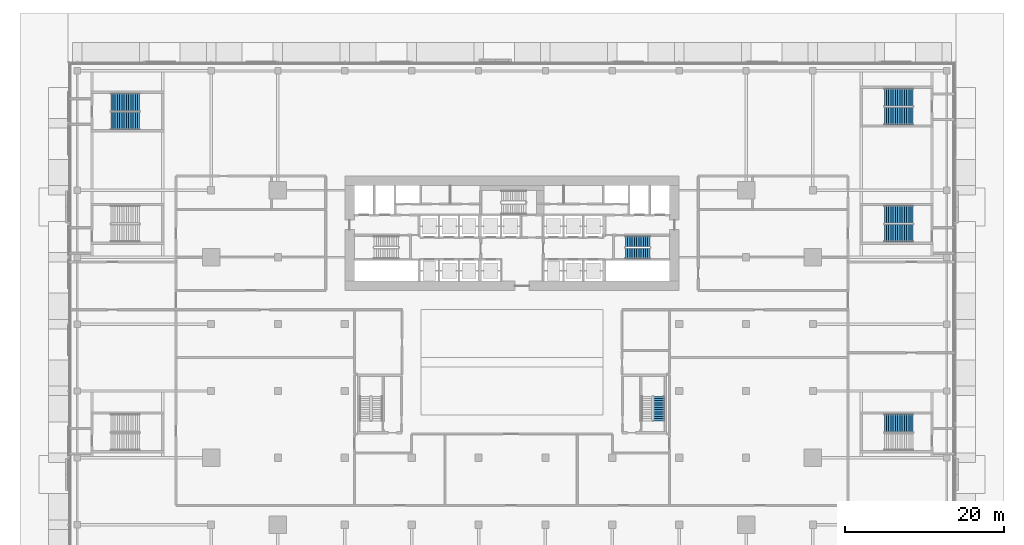
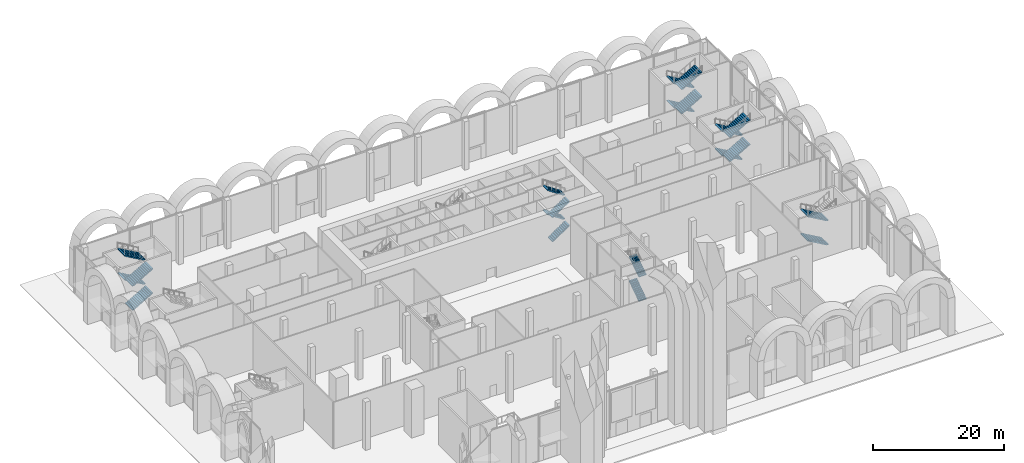
# One storey, part 32 of 43: 20 stair flights, 6 elements without a shape of their own.
"""IFC4 building model written with IfcOpenShell, lengths in metres."""

from ifc_helpers import new_model, si_unit, direction, frame, origin, place, context, subcontext, project, spatial, polyline, outline, extrude, material, type_object, element, aggregate, save


model = new_model("IFC4")

# Units and contexts
model_context = context("Model", 3, precision=1e-05, world=origin(), true_north=direction((0.0, 1.0)))
body_context = subcontext(model_context, "Body", "Model", "MODEL_VIEW")
ifc_project = project(units=[si_unit("LENGTHUNIT", "METRE"), si_unit("AREAUNIT", "SQUARE_METRE"), si_unit("VOLUMEUNIT", "CUBIC_METRE"), si_unit("PLANEANGLEUNIT", "RADIAN"), si_unit("MASSUNIT", "GRAM", prefix="KILO")], contexts=[model_context])

# Site, building, storey
site_placement = place(None, origin())
site = spatial("IfcSite", under=ifc_project, at=site_placement, CompositionType="ELEMENT")
building_placement = place(site_placement, origin())
building = spatial("IfcBuilding", under=site, at=building_placement, Name="Saffron Gate Tower", CompositionType="ELEMENT")
storey_placement = place(building_placement, origin())
storey = spatial("IfcBuildingStorey", under=building, at=storey_placement, Name="L00", CompositionType="ELEMENT", Elevation=0.0)

# Stair, stair flights
ifc_material = material(Name="Concrete C40", Category="concrete")
stair_type_1 = type_object("IfcStairType", Name="ST3 Stair 1350 wide, 48 risers of 188", PredefinedType="HALF_TURN_STAIR", material=ifc_material)
stair_1_placement = place(storey_placement, origin())
stair_1 = element("IfcStair", 1, at=stair_1_placement, inside=storey, type_object=stair_type_1, Name="L00 Exit stair B", PredefinedType="HALF_TURN_STAIR")
stair_flight_type_1 = type_object("IfcStairFlightType", Name="SF2 Stair flight 1350 wide, riser 188 going 280", PredefinedType="STRAIGHT", material=ifc_material)
stair_flight_1_placement = place(storey_placement, frame((101.85009765625, 65.875, 0.0), z_axis=(0.0, 0.0, 1.0), x_axis=(1.0, 0.0, 0.0)))
stair_flight_1 = element("IfcStairFlight", 2, at=stair_flight_1_placement, type_object=stair_flight_type_1, Name="ST-B flight 1", NumberOfRisers=12, NumberOfTreads=11, PredefinedType="STRAIGHT", RiserHeight=0.1875, TreadLength=0.28, context=body_context, shape_type="SweptSolid", body=[
    extrude(outline(polyline([(0.0, 0.0), (0.0, 0.1875), (0.280029296875, 0.1875), (0.280029296875, 0.375), (0.56005859375, 0.375), (0.56005859375, 0.5625), (0.840087890625, 0.5625), (0.840087890625, 0.75), (1.1201171875, 0.75), (1.1201171875, 0.9375), (1.39990234375, 0.9375), (1.39990234375, 1.125), (1.679931640625, 1.125), (1.679931640625, 1.3125), (1.9599609375, 1.3125), (1.9599609375, 1.5), (2.239990234375, 1.5), (2.239990234375, 1.6875), (2.52001953125, 1.6875), (2.52001953125, 1.875), (2.800048828125, 1.875), (2.800048828125, 2.0625), (3.080078125, 2.0625), (3.080078125, 2.25), (3.080078125, 1.882080078125), (0.26953125, 0.0), (0.0, 0.0)])), frame((0.0, 0.675048828125, 0.0), z_axis=(0.0, -1.0, 0.0), x_axis=(1.0, 0.0, 0.0)), (0.0, 0.0, 1.0), 1.35009765625),
])
stair_flight_2_placement = place(storey_placement, frame((104.929931640625, 67.375, 2.25), z_axis=(0.0, 0.0, 1.0), x_axis=(-1.0, 0.0, 0.0)))
stair_flight_2 = element("IfcStairFlight", 3, at=stair_flight_2_placement, type_object=stair_flight_type_1, Name="ST-B flight 2", NumberOfRisers=12, NumberOfTreads=11, PredefinedType="STRAIGHT", RiserHeight=0.1875, TreadLength=0.28, context=body_context, shape_type="SweptSolid", body=[
    extrude(outline(polyline([(0.0, 0.0), (0.0, 0.1875), (0.280029296875, 0.1875), (0.280029296875, 0.375), (0.56005859375, 0.375), (0.56005859375, 0.5625), (0.840087890625, 0.5625), (0.840087890625, 0.75), (1.1201171875, 0.75), (1.1201171875, 0.9375), (1.39990234375, 0.9375), (1.39990234375, 1.125), (1.679931640625, 1.125), (1.679931640625, 1.3125), (1.9599609375, 1.3125), (1.9599609375, 1.5), (2.239990234375, 1.5), (2.239990234375, 1.6875), (2.52001953125, 1.6875), (2.52001953125, 1.875), (2.800048828125, 1.875), (2.800048828125, 2.0625), (3.080078125, 2.0625), (3.080078125, 2.25), (3.080078125, 1.882080078125), (0.26953125, 0.0), (0.0, 0.0)])), frame((0.0, 0.675048828125, 0.0), z_axis=(0.0, -1.0, 0.0), x_axis=(1.0, 0.0, 0.0)), (0.0, 0.0, 1.0), 1.35009765625),
])
stair_flight_3_placement = place(storey_placement, frame((101.85009765625, 65.875, 4.5), z_axis=(0.0, 0.0, 1.0), x_axis=(1.0, 0.0, 0.0)))
stair_flight_3 = element("IfcStairFlight", 4, at=stair_flight_3_placement, type_object=stair_flight_type_1, Name="ST-B flight 3", NumberOfRisers=12, NumberOfTreads=11, PredefinedType="STRAIGHT", RiserHeight=0.1875, TreadLength=0.28, context=body_context, shape_type="SweptSolid", body=[
    extrude(outline(polyline([(0.0, 0.0), (0.0, 0.1875), (0.280029296875, 0.1875), (0.280029296875, 0.375), (0.56005859375, 0.375), (0.56005859375, 0.5625), (0.840087890625, 0.5625), (0.840087890625, 0.75), (1.1201171875, 0.75), (1.1201171875, 0.9375), (1.39990234375, 0.9375), (1.39990234375, 1.125), (1.679931640625, 1.125), (1.679931640625, 1.3125), (1.9599609375, 1.3125), (1.9599609375, 1.5), (2.239990234375, 1.5), (2.239990234375, 1.6875), (2.52001953125, 1.6875), (2.52001953125, 1.875), (2.800048828125, 1.875), (2.800048828125, 2.0625), (3.080078125, 2.0625), (3.080078125, 2.25), (3.080078125, 1.882080078125), (0.26953125, 0.0), (0.0, 0.0)])), frame((0.0, 0.675048828125, 0.0), z_axis=(0.0, -1.0, 0.0), x_axis=(1.0, 0.0, 0.0)), (0.0, 0.0, 1.0), 1.35009765625),
])
stair_flight_4_placement = place(storey_placement, frame((104.929931640625, 67.375, 6.75), z_axis=(0.0, 0.0, 1.0), x_axis=(-1.0, 0.0, 0.0)))
stair_flight_4 = element("IfcStairFlight", 5, at=stair_flight_4_placement, type_object=stair_flight_type_1, Name="ST-B flight 4", NumberOfRisers=12, NumberOfTreads=11, PredefinedType="STRAIGHT", RiserHeight=0.1875, TreadLength=0.28, context=body_context, shape_type="SweptSolid", body=[
    extrude(outline(polyline([(0.0, 0.0), (0.0, 0.1875), (0.280029296875, 0.1875), (0.280029296875, 0.375), (0.56005859375, 0.375), (0.56005859375, 0.5625), (0.840087890625, 0.5625), (0.840087890625, 0.75), (1.1201171875, 0.75), (1.1201171875, 0.9375), (1.39990234375, 0.9375), (1.39990234375, 1.125), (1.679931640625, 1.125), (1.679931640625, 1.3125), (1.9599609375, 1.3125), (1.9599609375, 1.5), (2.239990234375, 1.5), (2.239990234375, 1.6875), (2.52001953125, 1.6875), (2.52001953125, 1.875), (2.800048828125, 1.875), (2.800048828125, 2.0625), (3.080078125, 2.0625), (3.080078125, 2.25), (3.080078125, 1.882080078125), (0.26953125, 0.0), (0.0, 0.0)])), frame((0.0, 0.675048828125, 0.0), z_axis=(0.0, -1.0, 0.0), x_axis=(1.0, 0.0, 0.0)), (0.0, 0.0, 1.0), 1.35009765625),
])
aggregate(stair_1, [stair_flight_1, stair_flight_2, stair_flight_3, stair_flight_4])

stair_2_placement = place(storey_placement, origin())
stair_2 = element("IfcStair", 6, at=stair_2_placement, inside=storey, type_object=stair_type_1, Name="L00 Exit stair E", PredefinedType="HALF_TURN_STAIR")
stair_flight_5_placement = place(storey_placement, frame((106.074951171875, 44.85009765625, 0.0), z_axis=(0.0, 0.0, 1.0), x_axis=(0.0, 1.0, 0.0)))
stair_flight_5 = element("IfcStairFlight", 7, at=stair_flight_5_placement, type_object=stair_flight_type_1, Name="ST-E flight 1", NumberOfRisers=12, NumberOfTreads=11, PredefinedType="STRAIGHT", RiserHeight=0.1875, TreadLength=0.28, context=body_context, shape_type="SweptSolid", body=[
    extrude(outline(polyline([(0.0, 0.0), (0.0, 0.1875), (0.280029296875, 0.1875), (0.280029296875, 0.375), (0.56005859375, 0.375), (0.56005859375, 0.5625), (0.840087890625, 0.5625), (0.840087890625, 0.75), (1.1201171875, 0.75), (1.1201171875, 0.9375), (1.39990234375, 0.9375), (1.39990234375, 1.125), (1.679931640625, 1.125), (1.679931640625, 1.3125), (1.9599609375, 1.3125), (1.9599609375, 1.5), (2.239990234375, 1.5), (2.239990234375, 1.6875), (2.52001953125, 1.6875), (2.52001953125, 1.875), (2.800048828125, 1.875), (2.800048828125, 2.0625), (3.080078125, 2.0625), (3.080078125, 2.25), (3.080078125, 1.882080078125), (0.26953125, 0.0), (0.0, 0.0)])), frame((0.0, 0.675048828125, 0.0), z_axis=(0.0, -1.0, 0.0), x_axis=(1.0, 0.0, 0.0)), (0.0, 0.0, 1.0), 1.35009765625),
])
stair_flight_6_placement = place(storey_placement, frame((106.074951171875, 44.85009765625, 4.5), z_axis=(0.0, 0.0, 1.0), x_axis=(0.0, 1.0, 0.0)))
stair_flight_6 = element("IfcStairFlight", 8, at=stair_flight_6_placement, type_object=stair_flight_type_1, Name="ST-E flight 3", NumberOfRisers=12, NumberOfTreads=11, PredefinedType="STRAIGHT", RiserHeight=0.1875, TreadLength=0.28, context=body_context, shape_type="SweptSolid", body=[
    extrude(outline(polyline([(0.0, 0.0), (0.0, 0.1875), (0.280029296875, 0.1875), (0.280029296875, 0.375), (0.56005859375, 0.375), (0.56005859375, 0.5625), (0.840087890625, 0.5625), (0.840087890625, 0.75), (1.1201171875, 0.75), (1.1201171875, 0.9375), (1.39990234375, 0.9375), (1.39990234375, 1.125), (1.679931640625, 1.125), (1.679931640625, 1.3125), (1.9599609375, 1.3125), (1.9599609375, 1.5), (2.239990234375, 1.5), (2.239990234375, 1.6875), (2.52001953125, 1.6875), (2.52001953125, 1.875), (2.800048828125, 1.875), (2.800048828125, 2.0625), (3.080078125, 2.0625), (3.080078125, 2.25), (3.080078125, 1.882080078125), (0.26953125, 0.0), (0.0, 0.0)])), frame((0.0, 0.675048828125, 0.0), z_axis=(0.0, -1.0, 0.0), x_axis=(1.0, 0.0, 0.0)), (0.0, 0.0, 1.0), 1.35009765625),
])
aggregate(stair_2, [stair_flight_5, stair_flight_6])

stair_type_2 = type_object("IfcStairType", Name="ST9 Stair 2200 wide, 56 risers of 161", PredefinedType="HALF_TURN_STAIR", material=ifc_material)
stair_3_placement = place(storey_placement, origin())
stair_3 = element("IfcStair", 9, at=stair_3_placement, inside=storey, type_object=stair_type_2, Name="L00 Exit stair F", PredefinedType="HALF_TURN_STAIR")
stair_flight_type_2 = type_object("IfcStairFlightType", Name="SF5 Stair flight 2200 wide, riser 161 going 280", PredefinedType="STRAIGHT", material=ifc_material)
stair_flight_7_placement = place(storey_placement, frame((37.199951171875, 82.52490234375, 0.0), z_axis=(0.0, 0.0, 1.0), x_axis=(1.0, 0.0, 0.0)))
stair_flight_7 = element("IfcStairFlight", 10, at=stair_flight_7_placement, type_object=stair_flight_type_2, Name="ST-F flight 1", NumberOfRisers=14, NumberOfTreads=13, PredefinedType="STRAIGHT", RiserHeight=0.160714286, TreadLength=0.28, context=body_context, shape_type="SweptSolid", body=[
    extrude(outline(polyline([(0.0, 0.0), (0.0, 0.16064453125), (0.280029296875, 0.16064453125), (0.280029296875, 0.321533203125), (0.56005859375, 0.321533203125), (0.56005859375, 0.482177734375), (0.840087890625, 0.482177734375), (0.840087890625, 0.642822265625), (1.1201171875, 0.642822265625), (1.1201171875, 0.803466796875), (1.39990234375, 0.803466796875), (1.39990234375, 0.96435546875), (1.679931640625, 0.96435546875), (1.679931640625, 1.125), (1.9599609375, 1.125), (1.9599609375, 1.28564453125), (2.239990234375, 1.28564453125), (2.239990234375, 1.446533203125), (2.52001953125, 1.446533203125), (2.52001953125, 1.607177734375), (2.800048828125, 1.607177734375), (2.800048828125, 1.767822265625), (3.080078125, 1.767822265625), (3.080078125, 1.928466796875), (3.360107421875, 1.928466796875), (3.360107421875, 2.08935546875), (3.639892578125, 2.08935546875), (3.639892578125, 2.25), (3.639892578125, 1.91650390625), (0.301025390625, 0.0), (0.0, 0.0)])), frame((0.0, 1.10009765625, 0.0), z_axis=(0.0, -1.0, 0.0), x_axis=(1.0, 0.0, 0.0)), (0.0, 0.0, 1.0), 2.199951171875),
])
stair_flight_8_placement = place(storey_placement, frame((40.840087890625, 84.875, 2.25), z_axis=(0.0, 0.0, 1.0), x_axis=(-1.0, 0.0, 0.0)))
stair_flight_8 = element("IfcStairFlight", 11, at=stair_flight_8_placement, type_object=stair_flight_type_2, Name="ST-F flight 2", NumberOfRisers=14, NumberOfTreads=13, PredefinedType="STRAIGHT", RiserHeight=0.160714286, TreadLength=0.28, context=body_context, shape_type="SweptSolid", body=[
    extrude(outline(polyline([(0.0, 0.0), (0.0, 0.16064453125), (0.280029296875, 0.16064453125), (0.280029296875, 0.321533203125), (0.56005859375, 0.321533203125), (0.56005859375, 0.482177734375), (0.840087890625, 0.482177734375), (0.840087890625, 0.642822265625), (1.1201171875, 0.642822265625), (1.1201171875, 0.803466796875), (1.39990234375, 0.803466796875), (1.39990234375, 0.96435546875), (1.679931640625, 0.96435546875), (1.679931640625, 1.125), (1.9599609375, 1.125), (1.9599609375, 1.28564453125), (2.239990234375, 1.28564453125), (2.239990234375, 1.446533203125), (2.52001953125, 1.446533203125), (2.52001953125, 1.607177734375), (2.800048828125, 1.607177734375), (2.800048828125, 1.767822265625), (3.080078125, 1.767822265625), (3.080078125, 1.928466796875), (3.360107421875, 1.928466796875), (3.360107421875, 2.08935546875), (3.639892578125, 2.08935546875), (3.639892578125, 2.25), (3.639892578125, 1.91650390625), (0.301025390625, 0.0), (0.0, 0.0)])), frame((0.0, 1.10009765625, 0.0), z_axis=(0.0, -1.0, 0.0), x_axis=(1.0, 0.0, 0.0)), (0.0, 0.0, 1.0), 2.199951171875),
])
stair_flight_9_placement = place(storey_placement, frame((37.199951171875, 82.52490234375, 4.5), z_axis=(0.0, 0.0, 1.0), x_axis=(1.0, 0.0, 0.0)))
stair_flight_9 = element("IfcStairFlight", 12, at=stair_flight_9_placement, type_object=stair_flight_type_2, Name="ST-F flight 3", NumberOfRisers=14, NumberOfTreads=13, PredefinedType="STRAIGHT", RiserHeight=0.160714286, TreadLength=0.28, context=body_context, shape_type="SweptSolid", body=[
    extrude(outline(polyline([(0.0, 0.0), (0.0, 0.16064453125), (0.280029296875, 0.16064453125), (0.280029296875, 0.321533203125), (0.56005859375, 0.321533203125), (0.56005859375, 0.482177734375), (0.840087890625, 0.482177734375), (0.840087890625, 0.642822265625), (1.1201171875, 0.642822265625), (1.1201171875, 0.803466796875), (1.39990234375, 0.803466796875), (1.39990234375, 0.96435546875), (1.679931640625, 0.96435546875), (1.679931640625, 1.125), (1.9599609375, 1.125), (1.9599609375, 1.28564453125), (2.239990234375, 1.28564453125), (2.239990234375, 1.446533203125), (2.52001953125, 1.446533203125), (2.52001953125, 1.607177734375), (2.800048828125, 1.607177734375), (2.800048828125, 1.767822265625), (3.080078125, 1.767822265625), (3.080078125, 1.928466796875), (3.360107421875, 1.928466796875), (3.360107421875, 2.08935546875), (3.639892578125, 2.08935546875), (3.639892578125, 2.25), (3.639892578125, 1.91650390625), (0.301025390625, 0.0), (0.0, 0.0)])), frame((0.0, 1.10009765625, 0.0), z_axis=(0.0, -1.0, 0.0), x_axis=(1.0, 0.0, 0.0)), (0.0, 0.0, 1.0), 2.199951171875),
])
stair_flight_10_placement = place(storey_placement, frame((40.840087890625, 84.875, 6.75), z_axis=(0.0, 0.0, 1.0), x_axis=(-1.0, 0.0, 0.0)))
stair_flight_10 = element("IfcStairFlight", 13, at=stair_flight_10_placement, type_object=stair_flight_type_2, Name="ST-F flight 4", NumberOfRisers=14, NumberOfTreads=13, PredefinedType="STRAIGHT", RiserHeight=0.160714286, TreadLength=0.28, context=body_context, shape_type="SweptSolid", body=[
    extrude(outline(polyline([(0.0, 0.0), (0.0, 0.16064453125), (0.280029296875, 0.16064453125), (0.280029296875, 0.321533203125), (0.56005859375, 0.321533203125), (0.56005859375, 0.482177734375), (0.840087890625, 0.482177734375), (0.840087890625, 0.642822265625), (1.1201171875, 0.642822265625), (1.1201171875, 0.803466796875), (1.39990234375, 0.803466796875), (1.39990234375, 0.96435546875), (1.679931640625, 0.96435546875), (1.679931640625, 1.125), (1.9599609375, 1.125), (1.9599609375, 1.28564453125), (2.239990234375, 1.28564453125), (2.239990234375, 1.446533203125), (2.52001953125, 1.446533203125), (2.52001953125, 1.607177734375), (2.800048828125, 1.607177734375), (2.800048828125, 1.767822265625), (3.080078125, 1.767822265625), (3.080078125, 1.928466796875), (3.360107421875, 1.928466796875), (3.360107421875, 2.08935546875), (3.639892578125, 2.08935546875), (3.639892578125, 2.25), (3.639892578125, 1.91650390625), (0.301025390625, 0.0), (0.0, 0.0)])), frame((0.0, 1.10009765625, 0.0), z_axis=(0.0, -1.0, 0.0), x_axis=(1.0, 0.0, 0.0)), (0.0, 0.0, 1.0), 2.199951171875),
])
aggregate(stair_3, [stair_flight_7, stair_flight_8, stair_flight_9, stair_flight_10])

stair_4_placement = place(storey_placement, origin())
stair_4 = element("IfcStair", 14, at=stair_4_placement, inside=storey, type_object=stair_type_2, Name="L00 Exit stair I", PredefinedType="HALF_TURN_STAIR")
stair_flight_11_placement = place(storey_placement, frame((138.0, 85.47509765625, 0.0), z_axis=(0.0, 0.0, 1.0), x_axis=(-1.0, 0.0, 0.0)))
stair_flight_11 = element("IfcStairFlight", 15, at=stair_flight_11_placement, type_object=stair_flight_type_2, Name="ST-I flight 1", NumberOfRisers=14, NumberOfTreads=13, PredefinedType="STRAIGHT", RiserHeight=0.160714286, TreadLength=0.28, context=body_context, shape_type="SweptSolid", body=[
    extrude(outline(polyline([(0.0, 0.0), (0.0, 0.16064453125), (0.280029296875, 0.16064453125), (0.280029296875, 0.321533203125), (0.56005859375, 0.321533203125), (0.56005859375, 0.482177734375), (0.840087890625, 0.482177734375), (0.840087890625, 0.642822265625), (1.1201171875, 0.642822265625), (1.1201171875, 0.803466796875), (1.39990234375, 0.803466796875), (1.39990234375, 0.96435546875), (1.679931640625, 0.96435546875), (1.679931640625, 1.125), (1.9599609375, 1.125), (1.9599609375, 1.28564453125), (2.239990234375, 1.28564453125), (2.239990234375, 1.446533203125), (2.52001953125, 1.446533203125), (2.52001953125, 1.607177734375), (2.800048828125, 1.607177734375), (2.800048828125, 1.767822265625), (3.080078125, 1.767822265625), (3.080078125, 1.928466796875), (3.360107421875, 1.928466796875), (3.360107421875, 2.08935546875), (3.639892578125, 2.08935546875), (3.639892578125, 2.25), (3.639892578125, 1.91650390625), (0.301025390625, 0.0), (0.0, 0.0)])), frame((0.0, 1.10009765625, 0.0), z_axis=(0.0, -1.0, 0.0), x_axis=(1.0, 0.0, 0.0)), (0.0, 0.0, 1.0), 2.199951171875),
])
stair_flight_12_placement = place(storey_placement, frame((134.360107421875, 83.125, 2.25), z_axis=(0.0, 0.0, 1.0), x_axis=(1.0, 0.0, 0.0)))
stair_flight_12 = element("IfcStairFlight", 16, at=stair_flight_12_placement, type_object=stair_flight_type_2, Name="ST-I flight 2", NumberOfRisers=14, NumberOfTreads=13, PredefinedType="STRAIGHT", RiserHeight=0.160714286, TreadLength=0.28, context=body_context, shape_type="SweptSolid", body=[
    extrude(outline(polyline([(0.0, 0.0), (0.0, 0.16064453125), (0.280029296875, 0.16064453125), (0.280029296875, 0.321533203125), (0.56005859375, 0.321533203125), (0.56005859375, 0.482177734375), (0.840087890625, 0.482177734375), (0.840087890625, 0.642822265625), (1.1201171875, 0.642822265625), (1.1201171875, 0.803466796875), (1.39990234375, 0.803466796875), (1.39990234375, 0.96435546875), (1.679931640625, 0.96435546875), (1.679931640625, 1.125), (1.9599609375, 1.125), (1.9599609375, 1.28564453125), (2.239990234375, 1.28564453125), (2.239990234375, 1.446533203125), (2.52001953125, 1.446533203125), (2.52001953125, 1.607177734375), (2.800048828125, 1.607177734375), (2.800048828125, 1.767822265625), (3.080078125, 1.767822265625), (3.080078125, 1.928466796875), (3.360107421875, 1.928466796875), (3.360107421875, 2.08935546875), (3.639892578125, 2.08935546875), (3.639892578125, 2.25), (3.639892578125, 1.91650390625), (0.301025390625, 0.0), (0.0, 0.0)])), frame((0.0, 1.10009765625, 0.0), z_axis=(0.0, -1.0, 0.0), x_axis=(1.0, 0.0, 0.0)), (0.0, 0.0, 1.0), 2.199951171875),
])
stair_flight_13_placement = place(storey_placement, frame((138.0, 85.47509765625, 4.5), z_axis=(0.0, 0.0, 1.0), x_axis=(-1.0, 0.0, 0.0)))
stair_flight_13 = element("IfcStairFlight", 17, at=stair_flight_13_placement, type_object=stair_flight_type_2, Name="ST-I flight 3", NumberOfRisers=14, NumberOfTreads=13, PredefinedType="STRAIGHT", RiserHeight=0.160714286, TreadLength=0.28, context=body_context, shape_type="SweptSolid", body=[
    extrude(outline(polyline([(0.0, 0.0), (0.0, 0.16064453125), (0.280029296875, 0.16064453125), (0.280029296875, 0.321533203125), (0.56005859375, 0.321533203125), (0.56005859375, 0.482177734375), (0.840087890625, 0.482177734375), (0.840087890625, 0.642822265625), (1.1201171875, 0.642822265625), (1.1201171875, 0.803466796875), (1.39990234375, 0.803466796875), (1.39990234375, 0.96435546875), (1.679931640625, 0.96435546875), (1.679931640625, 1.125), (1.9599609375, 1.125), (1.9599609375, 1.28564453125), (2.239990234375, 1.28564453125), (2.239990234375, 1.446533203125), (2.52001953125, 1.446533203125), (2.52001953125, 1.607177734375), (2.800048828125, 1.607177734375), (2.800048828125, 1.767822265625), (3.080078125, 1.767822265625), (3.080078125, 1.928466796875), (3.360107421875, 1.928466796875), (3.360107421875, 2.08935546875), (3.639892578125, 2.08935546875), (3.639892578125, 2.25), (3.639892578125, 1.91650390625), (0.301025390625, 0.0), (0.0, 0.0)])), frame((0.0, 1.10009765625, 0.0), z_axis=(0.0, -1.0, 0.0), x_axis=(1.0, 0.0, 0.0)), (0.0, 0.0, 1.0), 2.199951171875),
])
stair_flight_14_placement = place(storey_placement, frame((134.360107421875, 83.125, 6.75), z_axis=(0.0, 0.0, 1.0), x_axis=(1.0, 0.0, 0.0)))
stair_flight_14 = element("IfcStairFlight", 18, at=stair_flight_14_placement, type_object=stair_flight_type_2, Name="ST-I flight 4", NumberOfRisers=14, NumberOfTreads=13, PredefinedType="STRAIGHT", RiserHeight=0.160714286, TreadLength=0.28, context=body_context, shape_type="SweptSolid", body=[
    extrude(outline(polyline([(0.0, 0.0), (0.0, 0.16064453125), (0.280029296875, 0.16064453125), (0.280029296875, 0.321533203125), (0.56005859375, 0.321533203125), (0.56005859375, 0.482177734375), (0.840087890625, 0.482177734375), (0.840087890625, 0.642822265625), (1.1201171875, 0.642822265625), (1.1201171875, 0.803466796875), (1.39990234375, 0.803466796875), (1.39990234375, 0.96435546875), (1.679931640625, 0.96435546875), (1.679931640625, 1.125), (1.9599609375, 1.125), (1.9599609375, 1.28564453125), (2.239990234375, 1.28564453125), (2.239990234375, 1.446533203125), (2.52001953125, 1.446533203125), (2.52001953125, 1.607177734375), (2.800048828125, 1.607177734375), (2.800048828125, 1.767822265625), (3.080078125, 1.767822265625), (3.080078125, 1.928466796875), (3.360107421875, 1.928466796875), (3.360107421875, 2.08935546875), (3.639892578125, 2.08935546875), (3.639892578125, 2.25), (3.639892578125, 1.91650390625), (0.301025390625, 0.0), (0.0, 0.0)])), frame((0.0, 1.10009765625, 0.0), z_axis=(0.0, -1.0, 0.0), x_axis=(1.0, 0.0, 0.0)), (0.0, 0.0, 1.0), 2.199951171875),
])
aggregate(stair_4, [stair_flight_11, stair_flight_12, stair_flight_13, stair_flight_14])

stair_5_placement = place(storey_placement, origin())
stair_5 = element("IfcStair", 19, at=stair_5_placement, inside=storey, type_object=stair_type_2, Name="L00 Exit stair J", PredefinedType="HALF_TURN_STAIR")
stair_flight_15_placement = place(storey_placement, frame((138.0, 70.77490234375, 0.0), z_axis=(0.0, 0.0, 1.0), x_axis=(-1.0, 0.0, 0.0)))
stair_flight_15 = element("IfcStairFlight", 20, at=stair_flight_15_placement, type_object=stair_flight_type_2, Name="ST-J flight 1", NumberOfRisers=14, NumberOfTreads=13, PredefinedType="STRAIGHT", RiserHeight=0.160714286, TreadLength=0.28, context=body_context, shape_type="SweptSolid", body=[
    extrude(outline(polyline([(0.0, 0.0), (0.0, 0.16064453125), (0.280029296875, 0.16064453125), (0.280029296875, 0.321533203125), (0.56005859375, 0.321533203125), (0.56005859375, 0.482177734375), (0.840087890625, 0.482177734375), (0.840087890625, 0.642822265625), (1.1201171875, 0.642822265625), (1.1201171875, 0.803466796875), (1.39990234375, 0.803466796875), (1.39990234375, 0.96435546875), (1.679931640625, 0.96435546875), (1.679931640625, 1.125), (1.9599609375, 1.125), (1.9599609375, 1.28564453125), (2.239990234375, 1.28564453125), (2.239990234375, 1.446533203125), (2.52001953125, 1.446533203125), (2.52001953125, 1.607177734375), (2.800048828125, 1.607177734375), (2.800048828125, 1.767822265625), (3.080078125, 1.767822265625), (3.080078125, 1.928466796875), (3.360107421875, 1.928466796875), (3.360107421875, 2.08935546875), (3.639892578125, 2.08935546875), (3.639892578125, 2.25), (3.639892578125, 1.91650390625), (0.301025390625, 0.0), (0.0, 0.0)])), frame((0.0, 1.10009765625, 0.0), z_axis=(0.0, -1.0, 0.0), x_axis=(1.0, 0.0, 0.0)), (0.0, 0.0, 1.0), 2.199951171875),
])
stair_flight_16_placement = place(storey_placement, frame((134.360107421875, 68.425048828125, 2.25), z_axis=(0.0, 0.0, 1.0), x_axis=(1.0, 0.0, 0.0)))
stair_flight_16 = element("IfcStairFlight", 21, at=stair_flight_16_placement, type_object=stair_flight_type_2, Name="ST-J flight 2", NumberOfRisers=14, NumberOfTreads=13, PredefinedType="STRAIGHT", RiserHeight=0.160714286, TreadLength=0.28, context=body_context, shape_type="SweptSolid", body=[
    extrude(outline(polyline([(0.0, 0.0), (0.0, 0.16064453125), (0.280029296875, 0.16064453125), (0.280029296875, 0.321533203125), (0.56005859375, 0.321533203125), (0.56005859375, 0.482177734375), (0.840087890625, 0.482177734375), (0.840087890625, 0.642822265625), (1.1201171875, 0.642822265625), (1.1201171875, 0.803466796875), (1.39990234375, 0.803466796875), (1.39990234375, 0.96435546875), (1.679931640625, 0.96435546875), (1.679931640625, 1.125), (1.9599609375, 1.125), (1.9599609375, 1.28564453125), (2.239990234375, 1.28564453125), (2.239990234375, 1.446533203125), (2.52001953125, 1.446533203125), (2.52001953125, 1.607177734375), (2.800048828125, 1.607177734375), (2.800048828125, 1.767822265625), (3.080078125, 1.767822265625), (3.080078125, 1.928466796875), (3.360107421875, 1.928466796875), (3.360107421875, 2.08935546875), (3.639892578125, 2.08935546875), (3.639892578125, 2.25), (3.639892578125, 1.91650390625), (0.301025390625, 0.0), (0.0, 0.0)])), frame((0.0, 1.10009765625, 0.0), z_axis=(0.0, -1.0, 0.0), x_axis=(1.0, 0.0, 0.0)), (0.0, 0.0, 1.0), 2.199951171875),
])
stair_flight_17_placement = place(storey_placement, frame((138.0, 70.77490234375, 4.5), z_axis=(0.0, 0.0, 1.0), x_axis=(-1.0, 0.0, 0.0)))
stair_flight_17 = element("IfcStairFlight", 22, at=stair_flight_17_placement, type_object=stair_flight_type_2, Name="ST-J flight 3", NumberOfRisers=14, NumberOfTreads=13, PredefinedType="STRAIGHT", RiserHeight=0.160714286, TreadLength=0.28, context=body_context, shape_type="SweptSolid", body=[
    extrude(outline(polyline([(0.0, 0.0), (0.0, 0.16064453125), (0.280029296875, 0.16064453125), (0.280029296875, 0.321533203125), (0.56005859375, 0.321533203125), (0.56005859375, 0.482177734375), (0.840087890625, 0.482177734375), (0.840087890625, 0.642822265625), (1.1201171875, 0.642822265625), (1.1201171875, 0.803466796875), (1.39990234375, 0.803466796875), (1.39990234375, 0.96435546875), (1.679931640625, 0.96435546875), (1.679931640625, 1.125), (1.9599609375, 1.125), (1.9599609375, 1.28564453125), (2.239990234375, 1.28564453125), (2.239990234375, 1.446533203125), (2.52001953125, 1.446533203125), (2.52001953125, 1.607177734375), (2.800048828125, 1.607177734375), (2.800048828125, 1.767822265625), (3.080078125, 1.767822265625), (3.080078125, 1.928466796875), (3.360107421875, 1.928466796875), (3.360107421875, 2.08935546875), (3.639892578125, 2.08935546875), (3.639892578125, 2.25), (3.639892578125, 1.91650390625), (0.301025390625, 0.0), (0.0, 0.0)])), frame((0.0, 1.10009765625, 0.0), z_axis=(0.0, -1.0, 0.0), x_axis=(1.0, 0.0, 0.0)), (0.0, 0.0, 1.0), 2.199951171875),
])
stair_flight_18_placement = place(storey_placement, frame((134.360107421875, 68.425048828125, 6.75), z_axis=(0.0, 0.0, 1.0), x_axis=(1.0, 0.0, 0.0)))
stair_flight_18 = element("IfcStairFlight", 23, at=stair_flight_18_placement, type_object=stair_flight_type_2, Name="ST-J flight 4", NumberOfRisers=14, NumberOfTreads=13, PredefinedType="STRAIGHT", RiserHeight=0.160714286, TreadLength=0.28, context=body_context, shape_type="SweptSolid", body=[
    extrude(outline(polyline([(0.0, 0.0), (0.0, 0.16064453125), (0.280029296875, 0.16064453125), (0.280029296875, 0.321533203125), (0.56005859375, 0.321533203125), (0.56005859375, 0.482177734375), (0.840087890625, 0.482177734375), (0.840087890625, 0.642822265625), (1.1201171875, 0.642822265625), (1.1201171875, 0.803466796875), (1.39990234375, 0.803466796875), (1.39990234375, 0.96435546875), (1.679931640625, 0.96435546875), (1.679931640625, 1.125), (1.9599609375, 1.125), (1.9599609375, 1.28564453125), (2.239990234375, 1.28564453125), (2.239990234375, 1.446533203125), (2.52001953125, 1.446533203125), (2.52001953125, 1.607177734375), (2.800048828125, 1.607177734375), (2.800048828125, 1.767822265625), (3.080078125, 1.767822265625), (3.080078125, 1.928466796875), (3.360107421875, 1.928466796875), (3.360107421875, 2.08935546875), (3.639892578125, 2.08935546875), (3.639892578125, 2.25), (3.639892578125, 1.91650390625), (0.301025390625, 0.0), (0.0, 0.0)])), frame((0.0, 1.10009765625, 0.0), z_axis=(0.0, -1.0, 0.0), x_axis=(1.0, 0.0, 0.0)), (0.0, 0.0, 1.0), 2.199951171875),
])
aggregate(stair_5, [stair_flight_15, stair_flight_16, stair_flight_17, stair_flight_18])

stair_6_placement = place(storey_placement, origin())
stair_6 = element("IfcStair", 24, at=stair_6_placement, inside=storey, type_object=stair_type_2, Name="L00 Exit stair K", PredefinedType="HALF_TURN_STAIR")
stair_flight_19_placement = place(storey_placement, frame((138.0, 44.574951171875, 0.0), z_axis=(0.0, 0.0, 1.0), x_axis=(-1.0, 0.0, 0.0)))
stair_flight_19 = element("IfcStairFlight", 25, at=stair_flight_19_placement, type_object=stair_flight_type_2, Name="ST-K flight 1", NumberOfRisers=14, NumberOfTreads=13, PredefinedType="STRAIGHT", RiserHeight=0.160714286, TreadLength=0.28, context=body_context, shape_type="SweptSolid", body=[
    extrude(outline(polyline([(0.0, 0.0), (0.0, 0.16064453125), (0.280029296875, 0.16064453125), (0.280029296875, 0.321533203125), (0.56005859375, 0.321533203125), (0.56005859375, 0.482177734375), (0.840087890625, 0.482177734375), (0.840087890625, 0.642822265625), (1.1201171875, 0.642822265625), (1.1201171875, 0.803466796875), (1.39990234375, 0.803466796875), (1.39990234375, 0.96435546875), (1.679931640625, 0.96435546875), (1.679931640625, 1.125), (1.9599609375, 1.125), (1.9599609375, 1.28564453125), (2.239990234375, 1.28564453125), (2.239990234375, 1.446533203125), (2.52001953125, 1.446533203125), (2.52001953125, 1.607177734375), (2.800048828125, 1.607177734375), (2.800048828125, 1.767822265625), (3.080078125, 1.767822265625), (3.080078125, 1.928466796875), (3.360107421875, 1.928466796875), (3.360107421875, 2.08935546875), (3.639892578125, 2.08935546875), (3.639892578125, 2.25), (3.639892578125, 1.91650390625), (0.301025390625, 0.0), (0.0, 0.0)])), frame((0.0, 1.10009765625, 0.0), z_axis=(0.0, -1.0, 0.0), x_axis=(1.0, 0.0, 0.0)), (0.0, 0.0, 1.0), 2.199951171875),
])
stair_flight_20_placement = place(storey_placement, frame((138.0, 44.574951171875, 4.5), z_axis=(0.0, 0.0, 1.0), x_axis=(-1.0, 0.0, 0.0)))
stair_flight_20 = element("IfcStairFlight", 26, at=stair_flight_20_placement, type_object=stair_flight_type_2, Name="ST-K flight 3", NumberOfRisers=14, NumberOfTreads=13, PredefinedType="STRAIGHT", RiserHeight=0.160714286, TreadLength=0.28, context=body_context, shape_type="SweptSolid", body=[
    extrude(outline(polyline([(0.0, 0.0), (0.0, 0.16064453125), (0.280029296875, 0.16064453125), (0.280029296875, 0.321533203125), (0.56005859375, 0.321533203125), (0.56005859375, 0.482177734375), (0.840087890625, 0.482177734375), (0.840087890625, 0.642822265625), (1.1201171875, 0.642822265625), (1.1201171875, 0.803466796875), (1.39990234375, 0.803466796875), (1.39990234375, 0.96435546875), (1.679931640625, 0.96435546875), (1.679931640625, 1.125), (1.9599609375, 1.125), (1.9599609375, 1.28564453125), (2.239990234375, 1.28564453125), (2.239990234375, 1.446533203125), (2.52001953125, 1.446533203125), (2.52001953125, 1.607177734375), (2.800048828125, 1.607177734375), (2.800048828125, 1.767822265625), (3.080078125, 1.767822265625), (3.080078125, 1.928466796875), (3.360107421875, 1.928466796875), (3.360107421875, 2.08935546875), (3.639892578125, 2.08935546875), (3.639892578125, 2.25), (3.639892578125, 1.91650390625), (0.301025390625, 0.0), (0.0, 0.0)])), frame((0.0, 1.10009765625, 0.0), z_axis=(0.0, -1.0, 0.0), x_axis=(1.0, 0.0, 0.0)), (0.0, 0.0, 1.0), 2.199951171875),
])
aggregate(stair_6, [stair_flight_19, stair_flight_20])

save(model, "model.ifc")
